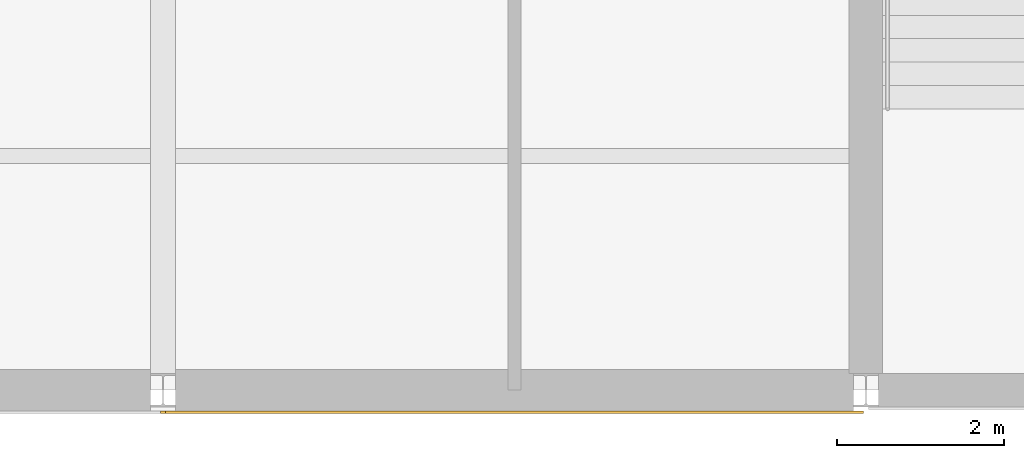
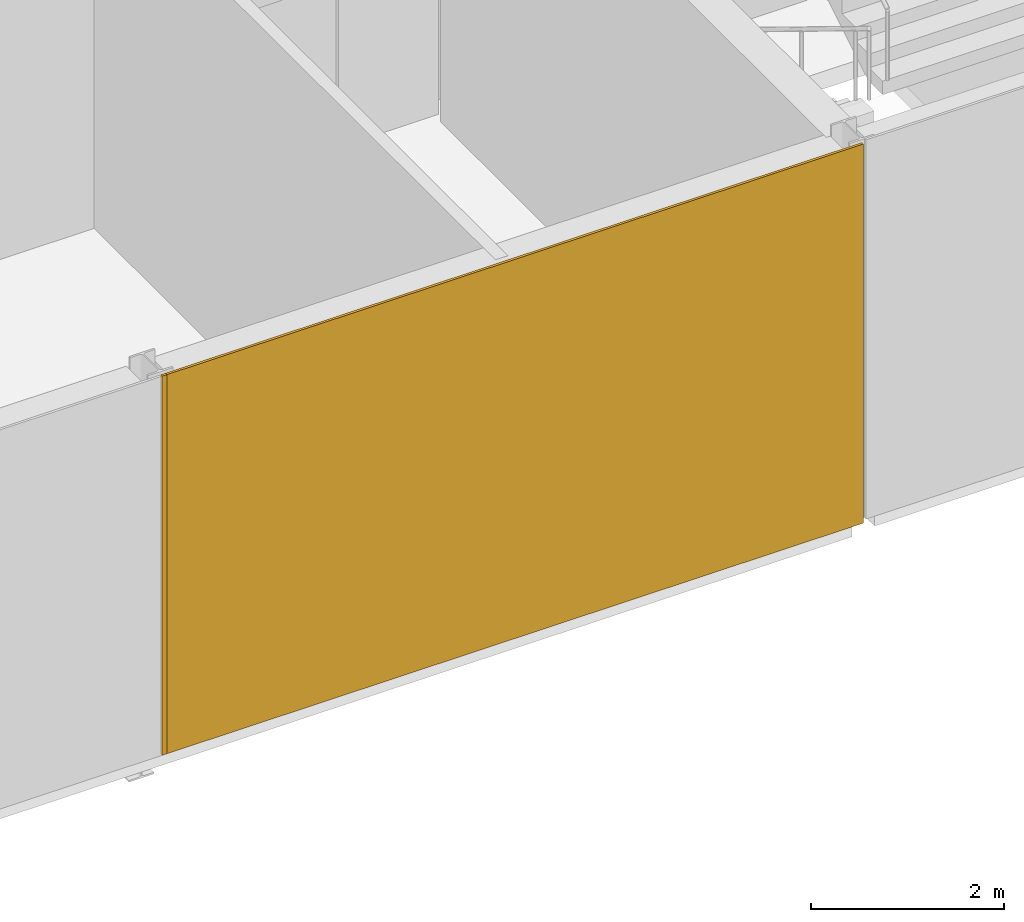
# One storey, part 38 of 57: 2 coverings.
"""IFC4 building model written with IfcOpenShell, lengths in metres."""

from ifc_helpers import new_model, si_unit, direction, frame, origin, origin_2d, place, context, subcontext, project, spatial, rectangle, extrude, material, layer, layer_set, type_object, element, save


model = new_model("IFC4")

# Units and contexts
model_context = context("Model", 3, precision=1e-05, world=origin(), true_north=direction((0.0, 1.0)))
body_context = subcontext(model_context, "Body", "Model", "MODEL_VIEW")
ifc_project = project(units=[si_unit("LENGTHUNIT", "METRE"), si_unit("AREAUNIT", "SQUARE_METRE"), si_unit("VOLUMEUNIT", "CUBIC_METRE"), si_unit("PLANEANGLEUNIT", "RADIAN"), si_unit("MASSUNIT", "GRAM", prefix="KILO")], contexts=[model_context])

# Site, building, storey
site_placement = place(None, origin())
site = spatial("IfcSite", under=ifc_project, at=site_placement, CompositionType="ELEMENT")
building_placement = place(site_placement, origin())
building = spatial("IfcBuilding", under=site, at=building_placement, Name="Galleria Vessillo Department Store", CompositionType="ELEMENT")
storey_placement = place(building_placement, frame((0.0, 0.0, 21.0)))
storey = spatial("IfcBuildingStorey", under=building, at=storey_placement, Name="L04", CompositionType="ELEMENT", Elevation=21.0)

# Coverings
ifc_material = material(Name="Lime plaster (intonaco) ochre")
ifc_layer = layer(ifc_material, 0.030029296875)
ifc_layer_set = layer_set([ifc_layer], Name="Lime plaster (intonaco) ochre")
covering_type = type_object("IfcCoveringType", Name="Lime plaster render 30 mm", PredefinedType="CLADDING", material=ifc_layer_set)
covering_1_placement = place(storey_placement, frame((29.39990234375, -0.264892578125, 0.0), z_axis=(0.0, 0.0, 1.0), x_axis=(1.0, 0.0, 0.0)))
element("IfcCovering", 1, at=covering_1_placement, inside=storey, type_object=covering_type, Name="Wall cladding S-PS-L04-03", PredefinedType="CLADDING", context=body_context, shape_type="SweptSolid", body=[
    extrude(rectangle(XDim=8.34033203125, YDim=0.030029296875, at=origin_2d()), origin(), (0.0, 0.0, 1.0), 4.800048828125),
])
covering_2_placement = place(storey_placement, frame((25.199951171875, -0.264892578125, 0.0), z_axis=(0.0, 0.0, 1.0), x_axis=(1.0, 0.0, 0.0)))
element("IfcCovering", 2, at=covering_2_placement, inside=storey, type_object=covering_type, Name="Joint block Wall cladding S-PS-L04-02", PredefinedType="CLADDING", context=body_context, shape_type="SweptSolid", body=[
    extrude(rectangle(XDim=0.059814453125, YDim=0.030029296875, at=origin_2d()), origin(), (0.0, 0.0, 1.0), 4.800048828125),
])

save(model, "model.ifc")
